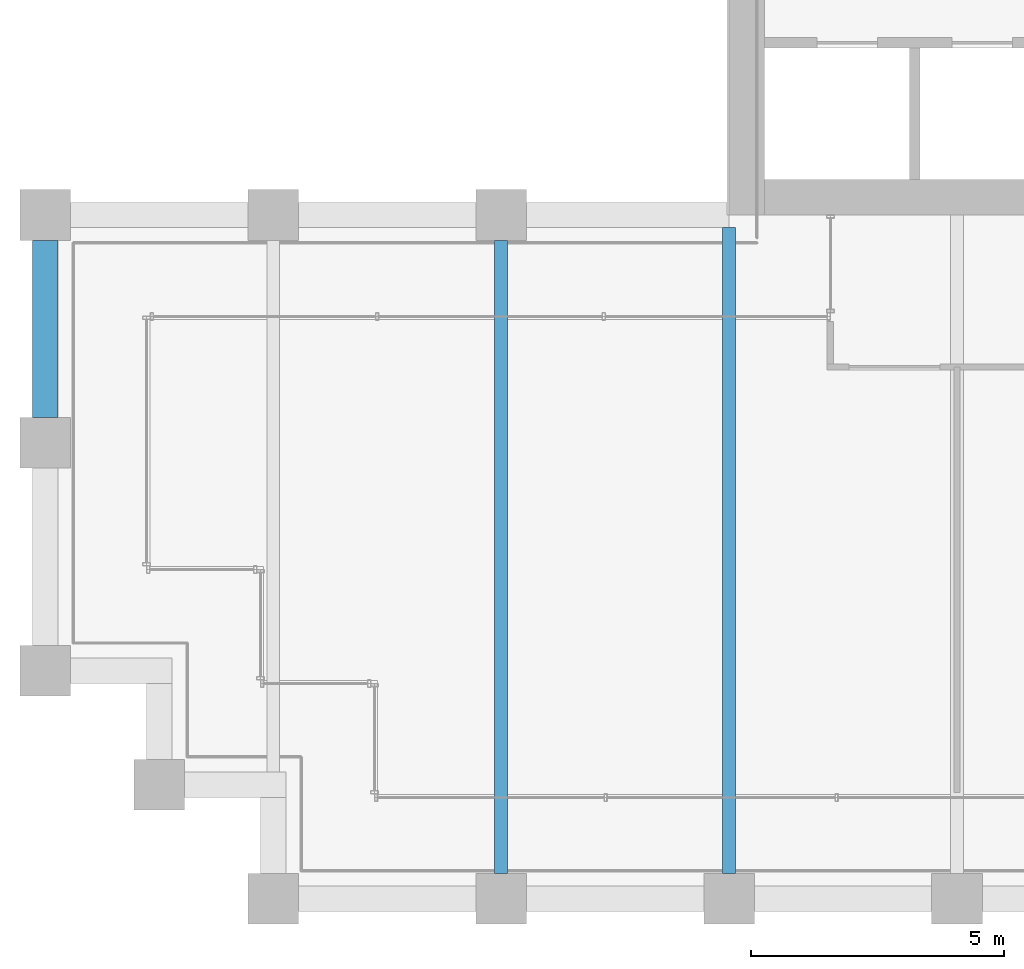
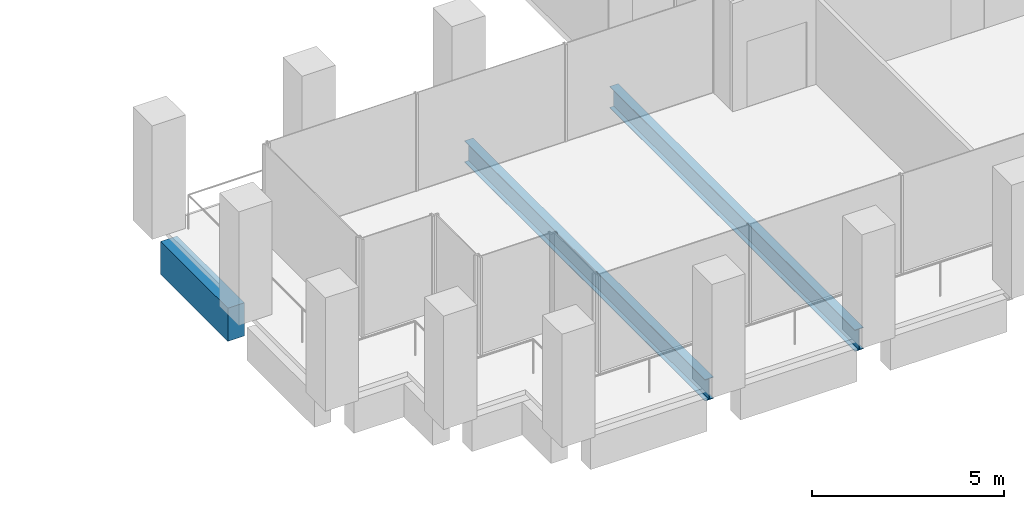
# One storey, part 4 of 46: 3 beams.
"""IFC4 building model written with IfcOpenShell, lengths in metres."""

from ifc_helpers import new_model, si_unit, direction, frame, origin, origin_2d, place, context, subcontext, project, spatial, rectangle, i_section, extrude, material, material_profile, profile_set, type_object, element, save


model = new_model("IFC4")

# Units and contexts
model_context = context("Model", 3, precision=1e-05, world=origin(), true_north=direction((0.0, 1.0)))
body_context = subcontext(model_context, "Body", "Model", "MODEL_VIEW")
ifc_project = project(units=[si_unit("LENGTHUNIT", "METRE"), si_unit("AREAUNIT", "SQUARE_METRE"), si_unit("VOLUMEUNIT", "CUBIC_METRE"), si_unit("PLANEANGLEUNIT", "RADIAN"), si_unit("MASSUNIT", "GRAM", prefix="KILO")], contexts=[model_context])

# Site, building, storey
site_placement = place(None, origin())
site = spatial("IfcSite", under=ifc_project, at=site_placement, CompositionType="ELEMENT")
building_placement = place(site_placement, origin())
building = spatial("IfcBuilding", under=site, at=building_placement, Name="Altepetl Exchange Towers", CompositionType="ELEMENT")
storey_placement = place(building_placement, frame((0.0, 0.0, 106.39990234375)))
storey = spatial("IfcBuildingStorey", under=building, at=storey_placement, Name="L26", CompositionType="ELEMENT", Elevation=106.39990234375)

# Beams
ifc_material_1 = material(Name="Steel S355", Category="steel")
ifc_material_profile_1 = material_profile(ifc_material_1, i_section(OverallWidth=0.25390625, OverallDepth=0.68408203125, WebThickness=0.012451171875, FlangeThickness=0.018798828125, at=origin_2d()), Name="W27X94")
ifc_profile_set_1 = profile_set([ifc_material_profile_1], Name="Steel S355")
beam_type_1 = type_object("IfcBeamType", Name="Floor beam W27X94", PredefinedType="BEAM", material=ifc_profile_set_1)
beam_1_placement = place(storey_placement, frame((36.0, 27.5, -0.491943359375), z_axis=(0.0, 1.0, 0.0), x_axis=(-1.0, 0.0, 0.0)))
element("IfcBeam", 1, at=beam_1_placement, inside=storey, type_object=beam_type_1, Name="bm:A:L26:013", PredefinedType="BEAM", context=body_context, shape_type="SweptSolid", body=[
    extrude(i_section(OverallWidth=0.25390625, OverallDepth=0.68408203125, WebThickness=0.012451171875, FlangeThickness=0.018798828125, at=origin_2d()), origin(), (0.0, 0.0, 1.0), 12.5),
])
beam_2_placement = place(storey_placement, frame((40.5, 27.5, -0.491943359375), z_axis=(0.0, 1.0, 0.0), x_axis=(-1.0, 0.0, 0.0)))
element("IfcBeam", 2, at=beam_2_placement, inside=storey, type_object=beam_type_1, Name="bm:A:L26:014", PredefinedType="BEAM", context=body_context, shape_type="SweptSolid", body=[
    extrude(i_section(OverallWidth=0.25390625, OverallDepth=0.68408203125, WebThickness=0.012451171875, FlangeThickness=0.018798828125, at=origin_2d()), origin(), (0.0, 0.0, 1.0), 12.75),
])
ifc_material_2 = material(Name="Concrete C50/60 precast with cantera blanca facing", Category="concrete")
ifc_material_profile_2 = material_profile(ifc_material_2, rectangle(XDim=0.5, YDim=1.050048828125, at=origin_2d()), Name="500 x 1050")
ifc_profile_set_2 = profile_set([ifc_material_profile_2], Name="Concrete C50/60 precast with cantera blanca facing")
beam_type_2 = type_object("IfcBeamType", Name="Spandrel beam 500x1050 cantera blanca", PredefinedType="SPANDREL", material=ifc_profile_set_2)
beam_3_placement = place(storey_placement, frame((27.0, 40.0, -0.6748046875), z_axis=(0.0, -1.0, 0.0), x_axis=(1.0, 0.0, 0.0)))
element("IfcBeam", 3, at=beam_3_placement, inside=storey, type_object=beam_type_2, Name="sp:A:L26:036", PredefinedType="SPANDREL", context=body_context, shape_type="SweptSolid", body=[
    extrude(rectangle(XDim=0.5, YDim=1.050048828125, at=origin_2d()), origin(), (0.0, 0.0, 1.0), 3.5),
])

save(model, "model.ifc")
